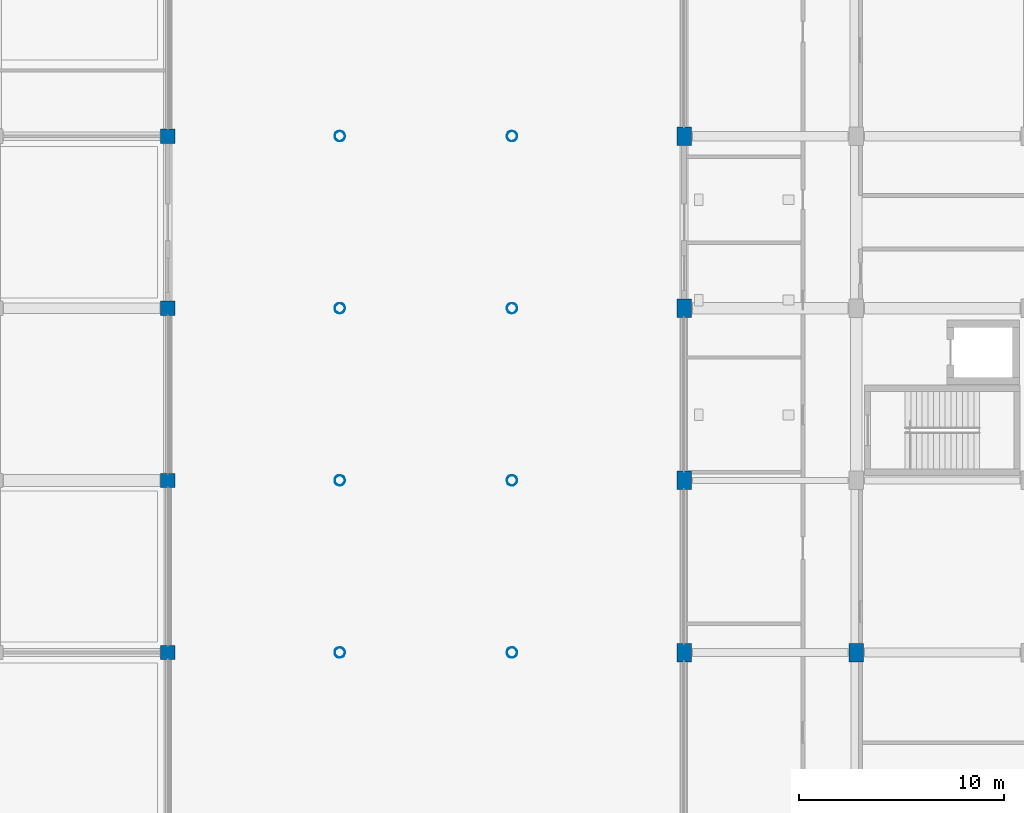
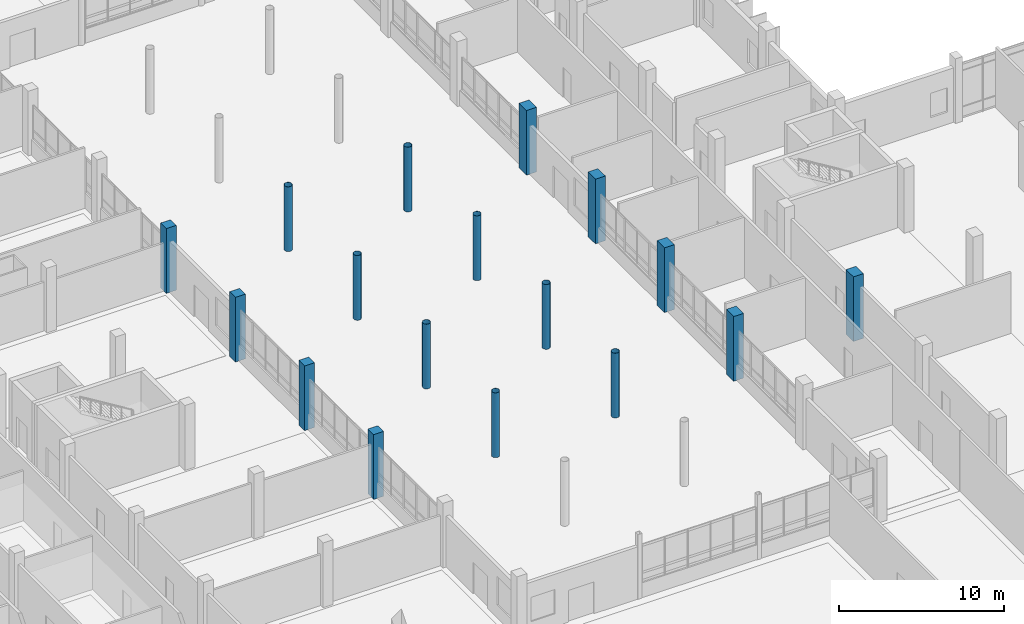
# One storey, part 6 of 95: 17 columns.
"""IFC4 building model written with IfcOpenShell, lengths in metres."""

from ifc_helpers import new_model, si_unit, direction, frame, origin, origin_2d, place, context, subcontext, project, spatial, rectangle, hollow_circle, extrude, material, material_profile, profile_set, type_object, element, save


model = new_model("IFC4")

# Units and contexts
model_context = context("Model", 3, precision=1e-05, world=origin(), true_north=direction((0.0, 1.0)))
body_context = subcontext(model_context, "Body", "Model", "MODEL_VIEW")
ifc_project = project(units=[si_unit("LENGTHUNIT", "METRE"), si_unit("AREAUNIT", "SQUARE_METRE"), si_unit("VOLUMEUNIT", "CUBIC_METRE"), si_unit("PLANEANGLEUNIT", "RADIAN"), si_unit("MASSUNIT", "GRAM", prefix="KILO")], contexts=[model_context])

# Site, building, storey
site_placement = place(None, origin())
site = spatial("IfcSite", under=ifc_project, at=site_placement, CompositionType="ELEMENT")
building_placement = place(site_placement, origin())
building = spatial("IfcBuilding", under=site, at=building_placement, Name="Vireocrest Preparatory School", CompositionType="ELEMENT")
storey_placement = place(building_placement, origin())
storey = spatial("IfcBuildingStorey", under=building, at=storey_placement, Name="L00", CompositionType="ELEMENT", Elevation=0.0)

# Columns
ifc_material_1 = material(Name="Concrete 45 MPa", Category="concrete")
ifc_material_profile_1 = material_profile(ifc_material_1, rectangle(XDim=0.699951171875, YDim=0.699951171875, at=origin_2d()), Name="RC 700x700")
ifc_profile_set_1 = profile_set([ifc_material_profile_1], Name="Concrete 45 MPa")
column_type_1 = type_object("IfcColumnType", Name="RC Column 700x700", PredefinedType="COLUMN", material=ifc_profile_set_1)
for number, where, z_axis, x_axis, name in (
    (1, (67.199951171875, 35.39990234375, 0.0), (0.0, 0.0, 1.0), (1.0, 0.0, 0.0), "Column C07 L00 9/E"),
    (2, (67.199951171875, 43.800048828125, 0.0), (0.0, 0.0, 1.0), (1.0, 0.0, 0.0), "Column C07 L00 9/F"),
    (3, (67.199951171875, 52.199951171875, 0.0), (0.0, 0.0, 1.0), (1.0, 0.0, 0.0), "Column C07 L00 9/G"),
    (4, (67.199951171875, 60.60009765625, 0.0), (0.0, 0.0, 1.0), (1.0, 0.0, 0.0), "Column C07 L00 9/H"),
):
    element("IfcColumn", number, at=place(storey_placement, frame(where, z_axis=z_axis, x_axis=x_axis)), inside=storey, type_object=column_type_1, Name=name, PredefinedType="COLUMN", context=body_context, shape_type="SweptSolid", body=[
        extrude(rectangle(XDim=0.699951171875, YDim=0.699951171875, at=origin_2d()), origin(), (0.0, 0.0, 1.0), 4.800048828125),
    ])
ifc_material_profile_2 = material_profile(ifc_material_1, rectangle(XDim=0.699951171875, YDim=0.89990234375, at=origin_2d()), Name="RC 700x900")
ifc_profile_set_2 = profile_set([ifc_material_profile_2], Name="Concrete 45 MPa")
column_type_2 = type_object("IfcColumnType", Name="RC Transfer Column 700x900", PredefinedType="COLUMN", material=ifc_profile_set_2)
for number, where, z_axis, x_axis, name in (
    (5, (92.39990234375, 35.39990234375, 0.0), (0.0, 0.0, 1.0), (1.0, 0.0, 0.0), "Column C16 L00 12/E"),
    (6, (92.39990234375, 43.800048828125, 0.0), (0.0, 0.0, 1.0), (1.0, 0.0, 0.0), "Column C16 L00 12/F"),
    (7, (92.39990234375, 52.199951171875, 0.0), (0.0, 0.0, 1.0), (1.0, 0.0, 0.0), "Column C16 L00 12/G"),
    (8, (92.39990234375, 60.60009765625, 0.0), (0.0, 0.0, 1.0), (1.0, 0.0, 0.0), "Column C16 L00 12/H"),
    (9, (100.800048828125, 35.39990234375, 0.0), (0.0, 0.0, 1.0), (1.0, 0.0, 0.0), "Column C16 L00 13/E"),
):
    element("IfcColumn", number, at=place(storey_placement, frame(where, z_axis=z_axis, x_axis=x_axis)), inside=storey, type_object=column_type_2, Name=name, PredefinedType="COLUMN", context=body_context, shape_type="SweptSolid", body=[
        extrude(rectangle(XDim=0.699951171875, YDim=0.89990234375, at=origin_2d()), origin(), (0.0, 0.0, 1.0), 4.800048828125),
    ])
ifc_material_2 = material(Name="Painted white steel ASTM A500 Grade C", Category="steel")
ifc_material_profile_3 = material_profile(ifc_material_2, hollow_circle(Radius=0.25390625, WallThickness=0.0126953125, at=origin_2d()), Name="HSS20.000X0.500")
ifc_profile_set_3 = profile_set([ifc_material_profile_3], Name="Painted white steel ASTM A500 Grade C")
column_type_3 = type_object("IfcColumnType", Name="White Steel Court Trunk HSS20.000X0.500", PredefinedType="USERDEFINED", material=ifc_profile_set_3)
for number, where, z_axis, x_axis, name in (
    (10, (75.60009765625, 35.39990234375, 0.0), (0.0, 0.0, 1.0), (1.0, 0.0, 0.0), "Court Canopy Trunk VC1 W2 L00"),
    (11, (84.0, 35.39990234375, 0.0), (0.0, 0.0, 1.0), (1.0, 0.0, 0.0), "Court Canopy Trunk VC1 E2 L00"),
    (12, (75.60009765625, 43.800048828125, 0.0), (0.0, 0.0, 1.0), (1.0, 0.0, 0.0), "Court Canopy Trunk VC1 W3 L00"),
    (13, (84.0, 43.800048828125, 0.0), (0.0, 0.0, 1.0), (1.0, 0.0, 0.0), "Court Canopy Trunk VC1 E3 L00"),
    (14, (75.60009765625, 52.199951171875, 0.0), (0.0, 0.0, 1.0), (1.0, 0.0, 0.0), "Court Canopy Trunk VC1 W4 L00"),
    (15, (84.0, 52.199951171875, 0.0), (0.0, 0.0, 1.0), (1.0, 0.0, 0.0), "Court Canopy Trunk VC1 E4 L00"),
    (16, (75.60009765625, 60.60009765625, 0.0), (0.0, 0.0, 1.0), (1.0, 0.0, 0.0), "Court Canopy Trunk VC1 W5 L00"),
    (17, (84.0, 60.60009765625, 0.0), (0.0, 0.0, 1.0), (1.0, 0.0, 0.0), "Court Canopy Trunk VC1 E5 L00"),
):
    element("IfcColumn", number, at=place(storey_placement, frame(where, z_axis=z_axis, x_axis=x_axis)), inside=storey, type_object=column_type_3, Name=name, ObjectType="PILOTI", PredefinedType="USERDEFINED", context=body_context, shape_type="SweptSolid", body=[
        extrude(hollow_circle(Radius=0.25390625, WallThickness=0.0126953125, at=origin_2d()), origin(), (0.0, 0.0, 1.0), 4.800048828125),
    ])

save(model, "model.ifc")
